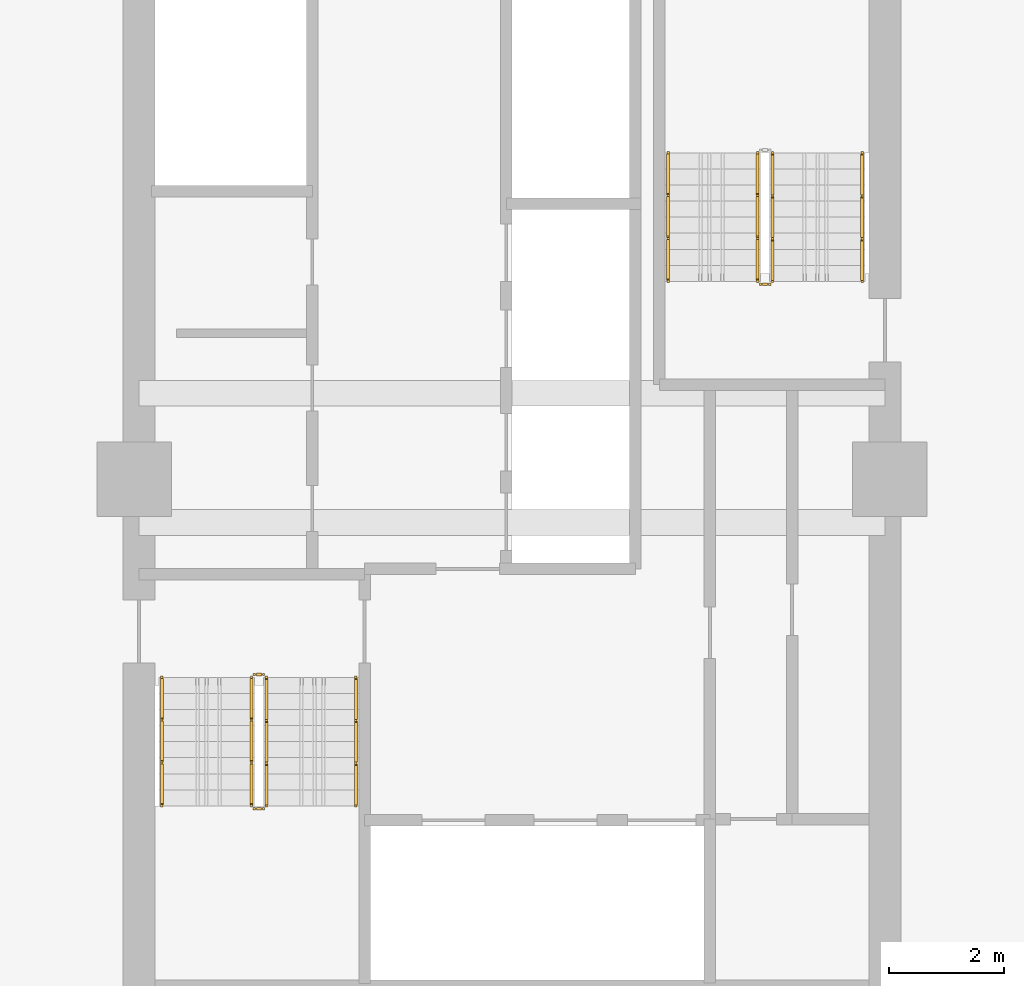
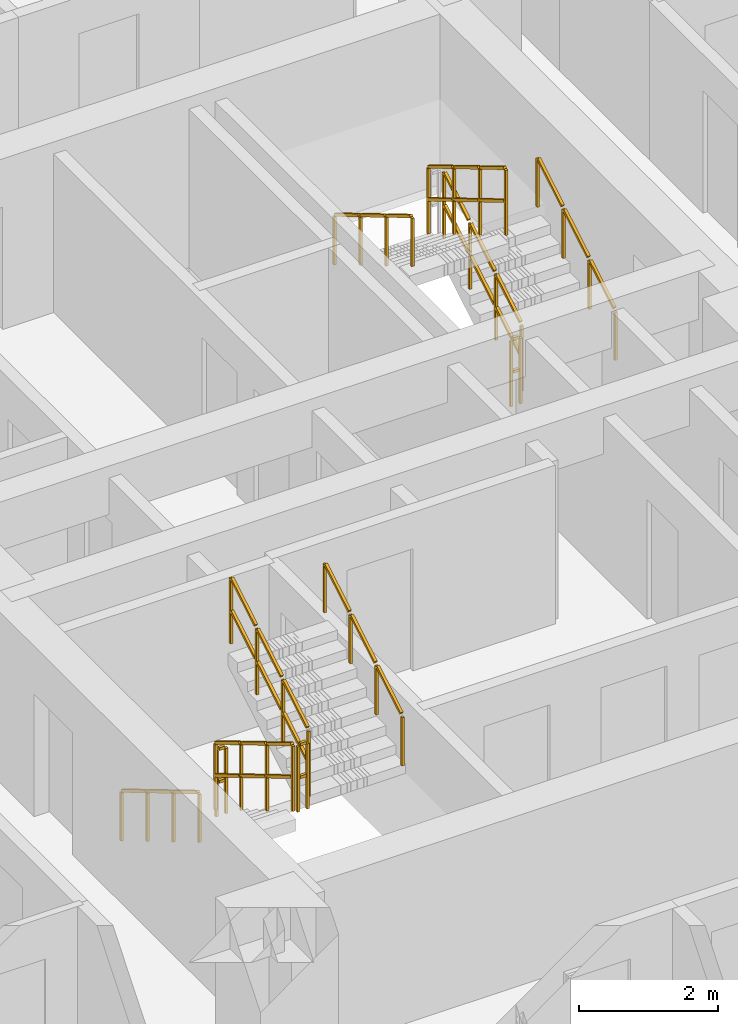
# One storey, part 23 of 25: 11 railings.
"""IFC4 building model written with IfcOpenShell, lengths in metres."""

from ifc_helpers import new_model, si_unit, direction, frame, origin, origin_2d, place, context, subcontext, project, spatial, rectangle, extrude, material, type_object, element, save


model = new_model("IFC4")

# Units and contexts
model_context = context("Model", 3, precision=1e-05, world=origin(), true_north=direction((0.0, 1.0)))
body_context = subcontext(model_context, "Body", "Model", "MODEL_VIEW")
ifc_project = project(units=[si_unit("LENGTHUNIT", "METRE"), si_unit("AREAUNIT", "SQUARE_METRE"), si_unit("VOLUMEUNIT", "CUBIC_METRE"), si_unit("PLANEANGLEUNIT", "RADIAN"), si_unit("MASSUNIT", "GRAM", prefix="KILO")], contexts=[model_context])

# Site, building, storey
site_placement = place(None, origin())
site = spatial("IfcSite", under=ifc_project, at=site_placement, CompositionType="ELEMENT")
building_placement = place(site_placement, origin())
building = spatial("IfcBuilding", under=site, at=building_placement, Name="Saelheon Loggia Tower", CompositionType="ELEMENT")
storey_placement = place(building_placement, frame((0.0, 0.0, 107.85009765625)))
storey = spatial("IfcBuildingStorey", under=building, at=storey_placement, Name="L34", CompositionType="ELEMENT", Elevation=107.85009765625)

# Railings
ifc_material_1 = material(Name="Galvanised Steel S275 Stairwell Guardrail", Category="steel")
railing_type_1 = type_object("IfcRailingType", Name="Guard_StairWell_RL_STG", PredefinedType="GUARDRAIL", material=ifc_material_1)
railing_1_placement = place(storey_placement, frame((33.4599609375, 23.550048828125, 0.16650390625)))
element("IfcRailing", 1, at=railing_1_placement, inside=storey, type_object=railing_type_1, Name="L34 ST1 stair guard 1", PredefinedType="GUARDRAIL", context=body_context, shape_type="SweptSolid", body=[
    extrude(rectangle(XDim=0.048095703125, YDim=0.048095703125, at=origin_2d()), frame((0.0, -0.028564453125, 1.19287109375), z_axis=(0.0, -0.859264461869, 0.511531606619), x_axis=(1.0, 0.0, 0.0)), (0.0, 0.0, 1.0), 0.802490234375),
    extrude(rectangle(XDim=0.048095703125, YDim=0.048095703125, at=origin_2d()), frame((0.0, -0.028564453125, 0.616943359375), z_axis=(0.0, -0.859264461869, 0.511531606619), x_axis=(1.0, 0.0, 0.0)), (0.0, 0.0, 1.0), 0.802490234375),
    extrude(rectangle(XDim=0.048095703125, YDim=0.048095703125, at=origin_2d()), frame((0.0, -0.775146484375, 1.637451171875), z_axis=(0.0, -0.859264461869, 0.511531606619), x_axis=(1.0, 0.0, 0.0)), (0.0, 0.0, 1.0), 0.802490234375),
    extrude(rectangle(XDim=0.048095703125, YDim=0.048095703125, at=origin_2d()), frame((0.0, -0.775146484375, 1.0615234375), z_axis=(0.0, -0.859264461869, 0.511531606619), x_axis=(1.0, 0.0, 0.0)), (0.0, 0.0, 1.0), 0.802490234375),
    extrude(rectangle(XDim=0.048095703125, YDim=0.048095703125, at=origin_2d()), frame((0.0, -1.52197265625, 2.081787109375), z_axis=(0.0, -0.859264461869, 0.511531606619), x_axis=(1.0, 0.0, 0.0)), (0.0, 0.0, 1.0), 0.802490234375),
    extrude(rectangle(XDim=0.048095703125, YDim=0.048095703125, at=origin_2d()), frame((0.0, -1.52197265625, 1.505859375), z_axis=(0.0, -0.859264461869, 0.511531606619), x_axis=(1.0, 0.0, 0.0)), (0.0, 0.0, 1.0), 0.802490234375),
    extrude(rectangle(XDim=0.0419921875, YDim=0.0419921875, at=origin_2d()), origin(), (0.0, 0.0, 1.0), 1.14794921875),
    extrude(rectangle(XDim=0.0419921875, YDim=0.0419921875, at=origin_2d()), frame((0.0, -0.74658203125, 0.444580078125)), (0.0, 0.0, 1.0), 1.14794921875),
    extrude(rectangle(XDim=0.0419921875, YDim=0.0419921875, at=origin_2d()), frame((0.0, -1.493408203125, 0.888916015625)), (0.0, 0.0, 1.0), 1.14794921875),
    extrude(rectangle(XDim=0.0419921875, YDim=0.0419921875, at=origin_2d()), frame((0.0, -2.239990234375, 1.33349609375)), (0.0, 0.0, 1.0), 1.14794921875),
])
railing_2_placement = place(storey_placement, frame((33.510009765625, 21.260009765625, 1.5)))
element("IfcRailing", 2, at=railing_2_placement, inside=storey, type_object=railing_type_1, Name="L34 ST1 stair guard 2", PredefinedType="GUARDRAIL", context=body_context, shape_type="SweptSolid", body=[
    extrude(rectangle(XDim=0.048095703125, YDim=0.048095703125, at=origin_2d()), frame((0.033203125, 0.0, 1.17578125), z_axis=(1.0, 0.0, 0.0), x_axis=(0.0, 1.0, 0.0)), (0.0, 0.0, 1.0), 0.093505859375),
    extrude(rectangle(XDim=0.048095703125, YDim=0.048095703125, at=origin_2d()), frame((0.033203125, 0.0, 0.60009765625), z_axis=(1.0, 0.0, 0.0), x_axis=(0.0, 1.0, 0.0)), (0.0, 0.0, 1.0), 0.093505859375),
    extrude(rectangle(XDim=0.0419921875, YDim=0.0419921875, at=origin_2d()), origin(), (0.0, 0.0, 1.0), 1.14794921875),
    extrude(rectangle(XDim=0.0419921875, YDim=0.0419921875, at=origin_2d()), frame((0.159912109375, 0.0, 0.0)), (0.0, 0.0, 1.0), 1.14794921875),
])
railing_3_placement = place(storey_placement, frame((33.719970703125, 21.31005859375, 1.66650390625)))
element("IfcRailing", 3, at=railing_3_placement, inside=storey, type_object=railing_type_1, Name="L34 ST1 stair guard 3", PredefinedType="GUARDRAIL", context=body_context, shape_type="SweptSolid", body=[
    extrude(rectangle(XDim=0.048095703125, YDim=0.048095703125, at=origin_2d()), frame((0.0, 0.028564453125, 1.19287109375), z_axis=(0.0, 0.859264461869, 0.511531606619), x_axis=(-1.0, 0.0, 0.0)), (0.0, 0.0, 1.0), 0.802490234375),
    extrude(rectangle(XDim=0.048095703125, YDim=0.048095703125, at=origin_2d()), frame((0.0, 0.028564453125, 0.616943359375), z_axis=(0.0, 0.859264461869, 0.511531606619), x_axis=(-1.0, 0.0, 0.0)), (0.0, 0.0, 1.0), 0.802490234375),
    extrude(rectangle(XDim=0.048095703125, YDim=0.048095703125, at=origin_2d()), frame((0.0, 0.775146484375, 1.637451171875), z_axis=(0.0, 0.859264461869, 0.511531606619), x_axis=(-1.0, 0.0, 0.0)), (0.0, 0.0, 1.0), 0.802490234375),
    extrude(rectangle(XDim=0.048095703125, YDim=0.048095703125, at=origin_2d()), frame((0.0, 0.775146484375, 1.0615234375), z_axis=(0.0, 0.859264461869, 0.511531606619), x_axis=(-1.0, 0.0, 0.0)), (0.0, 0.0, 1.0), 0.802490234375),
    extrude(rectangle(XDim=0.048095703125, YDim=0.048095703125, at=origin_2d()), frame((0.0, 1.52197265625, 2.081787109375), z_axis=(0.0, 0.859264461869, 0.511531606619), x_axis=(-1.0, 0.0, 0.0)), (0.0, 0.0, 1.0), 0.802490234375),
    extrude(rectangle(XDim=0.048095703125, YDim=0.048095703125, at=origin_2d()), frame((0.0, 1.52197265625, 1.505859375), z_axis=(0.0, 0.859264461869, 0.511531606619), x_axis=(-1.0, 0.0, 0.0)), (0.0, 0.0, 1.0), 0.802490234375),
    extrude(rectangle(XDim=0.0419921875, YDim=0.0419921875, at=origin_2d()), origin(), (0.0, 0.0, 1.0), 1.14794921875),
    extrude(rectangle(XDim=0.0419921875, YDim=0.0419921875, at=origin_2d()), frame((0.0, 0.74658203125, 0.444580078125)), (0.0, 0.0, 1.0), 1.14794921875),
    extrude(rectangle(XDim=0.0419921875, YDim=0.0419921875, at=origin_2d()), frame((0.0, 1.493408203125, 0.888916015625)), (0.0, 0.0, 1.0), 1.14794921875),
    extrude(rectangle(XDim=0.0419921875, YDim=0.0419921875, at=origin_2d()), frame((0.0, 2.239990234375, 1.33349609375)), (0.0, 0.0, 1.0), 1.14794921875),
])
railing_4_placement = place(storey_placement, frame((33.510009765625, 23.60009765625, 0.0)))
element("IfcRailing", 4, at=railing_4_placement, inside=storey, type_object=railing_type_1, Name="L34 ST1 stair guard 4", PredefinedType="GUARDRAIL", context=body_context, shape_type="SweptSolid", body=[
    extrude(rectangle(XDim=0.048095703125, YDim=0.048095703125, at=origin_2d()), frame((0.033203125, 0.0, 1.17578125), z_axis=(1.0, 0.0, 0.0), x_axis=(0.0, 1.0, 0.0)), (0.0, 0.0, 1.0), 0.093505859375),
    extrude(rectangle(XDim=0.048095703125, YDim=0.048095703125, at=origin_2d()), frame((0.033203125, 0.0, 0.60009765625), z_axis=(1.0, 0.0, 0.0), x_axis=(0.0, 1.0, 0.0)), (0.0, 0.0, 1.0), 0.093505859375),
    extrude(rectangle(XDim=0.0419921875, YDim=0.0419921875, at=origin_2d()), origin(), (0.0, 0.0, 1.0), 1.14794921875),
    extrude(rectangle(XDim=0.0419921875, YDim=0.0419921875, at=origin_2d()), frame((0.159912109375, 0.0, 0.0)), (0.0, 0.0, 1.0), 1.14794921875),
])
railing_5_placement = place(storey_placement, frame((42.5400390625, 30.449951171875, 0.16650390625)))
element("IfcRailing", 5, at=railing_5_placement, inside=storey, type_object=railing_type_1, Name="L34 ST2 stair guard 1", PredefinedType="GUARDRAIL", context=body_context, shape_type="SweptSolid", body=[
    extrude(rectangle(XDim=0.048095703125, YDim=0.048095703125, at=origin_2d()), frame((0.0, 0.028564453125, 1.19287109375), z_axis=(0.0, 0.859264461869, 0.511531606619), x_axis=(-1.0, 0.0, 0.0)), (0.0, 0.0, 1.0), 0.802490234375),
    extrude(rectangle(XDim=0.048095703125, YDim=0.048095703125, at=origin_2d()), frame((0.0, 0.028564453125, 0.616943359375), z_axis=(0.0, 0.859264461869, 0.511531606619), x_axis=(-1.0, 0.0, 0.0)), (0.0, 0.0, 1.0), 0.802490234375),
    extrude(rectangle(XDim=0.048095703125, YDim=0.048095703125, at=origin_2d()), frame((0.0, 0.775146484375, 1.637451171875), z_axis=(0.0, 0.859264461869, 0.511531606619), x_axis=(-1.0, 0.0, 0.0)), (0.0, 0.0, 1.0), 0.802490234375),
    extrude(rectangle(XDim=0.048095703125, YDim=0.048095703125, at=origin_2d()), frame((0.0, 0.775146484375, 1.0615234375), z_axis=(0.0, 0.859264461869, 0.511531606619), x_axis=(-1.0, 0.0, 0.0)), (0.0, 0.0, 1.0), 0.802490234375),
    extrude(rectangle(XDim=0.048095703125, YDim=0.048095703125, at=origin_2d()), frame((0.0, 1.52197265625, 2.081787109375), z_axis=(0.0, 0.859264461869, 0.511531606619), x_axis=(-1.0, 0.0, 0.0)), (0.0, 0.0, 1.0), 0.802490234375),
    extrude(rectangle(XDim=0.048095703125, YDim=0.048095703125, at=origin_2d()), frame((0.0, 1.52197265625, 1.505859375), z_axis=(0.0, 0.859264461869, 0.511531606619), x_axis=(-1.0, 0.0, 0.0)), (0.0, 0.0, 1.0), 0.802490234375),
    extrude(rectangle(XDim=0.0419921875, YDim=0.0419921875, at=origin_2d()), origin(), (0.0, 0.0, 1.0), 1.14794921875),
    extrude(rectangle(XDim=0.0419921875, YDim=0.0419921875, at=origin_2d()), frame((0.0, 0.74658203125, 0.444580078125)), (0.0, 0.0, 1.0), 1.14794921875),
    extrude(rectangle(XDim=0.0419921875, YDim=0.0419921875, at=origin_2d()), frame((0.0, 1.493408203125, 0.888916015625)), (0.0, 0.0, 1.0), 1.14794921875),
    extrude(rectangle(XDim=0.0419921875, YDim=0.0419921875, at=origin_2d()), frame((0.0, 2.239990234375, 1.33349609375)), (0.0, 0.0, 1.0), 1.14794921875),
])
railing_6_placement = place(storey_placement, frame((42.280029296875, 32.68994140625, 1.66650390625)))
element("IfcRailing", 6, at=railing_6_placement, inside=storey, type_object=railing_type_1, Name="L34 ST2 stair guard 3", PredefinedType="GUARDRAIL", context=body_context, shape_type="SweptSolid", body=[
    extrude(rectangle(XDim=0.048095703125, YDim=0.048095703125, at=origin_2d()), frame((0.0, -0.028564453125, 1.19287109375), z_axis=(0.0, -0.859264461869, 0.511531606619), x_axis=(1.0, 0.0, 0.0)), (0.0, 0.0, 1.0), 0.802490234375),
    extrude(rectangle(XDim=0.048095703125, YDim=0.048095703125, at=origin_2d()), frame((0.0, -0.028564453125, 0.616943359375), z_axis=(0.0, -0.859264461869, 0.511531606619), x_axis=(1.0, 0.0, 0.0)), (0.0, 0.0, 1.0), 0.802490234375),
    extrude(rectangle(XDim=0.048095703125, YDim=0.048095703125, at=origin_2d()), frame((0.0, -0.775146484375, 1.637451171875), z_axis=(0.0, -0.859264461869, 0.511531606619), x_axis=(1.0, 0.0, 0.0)), (0.0, 0.0, 1.0), 0.802490234375),
    extrude(rectangle(XDim=0.048095703125, YDim=0.048095703125, at=origin_2d()), frame((0.0, -0.775146484375, 1.0615234375), z_axis=(0.0, -0.859264461869, 0.511531606619), x_axis=(1.0, 0.0, 0.0)), (0.0, 0.0, 1.0), 0.802490234375),
    extrude(rectangle(XDim=0.048095703125, YDim=0.048095703125, at=origin_2d()), frame((0.0, -1.52197265625, 2.081787109375), z_axis=(0.0, -0.859264461869, 0.511531606619), x_axis=(1.0, 0.0, 0.0)), (0.0, 0.0, 1.0), 0.802490234375),
    extrude(rectangle(XDim=0.048095703125, YDim=0.048095703125, at=origin_2d()), frame((0.0, -1.52197265625, 1.505859375), z_axis=(0.0, -0.859264461869, 0.511531606619), x_axis=(1.0, 0.0, 0.0)), (0.0, 0.0, 1.0), 0.802490234375),
    extrude(rectangle(XDim=0.0419921875, YDim=0.0419921875, at=origin_2d()), origin(), (0.0, 0.0, 1.0), 1.14794921875),
    extrude(rectangle(XDim=0.0419921875, YDim=0.0419921875, at=origin_2d()), frame((0.0, -0.74658203125, 0.444580078125)), (0.0, 0.0, 1.0), 1.14794921875),
    extrude(rectangle(XDim=0.0419921875, YDim=0.0419921875, at=origin_2d()), frame((0.0, -1.493408203125, 0.888916015625)), (0.0, 0.0, 1.0), 1.14794921875),
    extrude(rectangle(XDim=0.0419921875, YDim=0.0419921875, at=origin_2d()), frame((0.0, -2.239990234375, 1.33349609375)), (0.0, 0.0, 1.0), 1.14794921875),
])
railing_7_placement = place(storey_placement, frame((42.489990234375, 30.39990234375, 0.0)))
element("IfcRailing", 7, at=railing_7_placement, inside=storey, type_object=railing_type_1, Name="L34 ST2 stair guard 4", PredefinedType="GUARDRAIL", context=body_context, shape_type="SweptSolid", body=[
    extrude(rectangle(XDim=0.048095703125, YDim=0.048095703125, at=origin_2d()), frame((-0.033203125, 0.0, 1.17578125), z_axis=(-1.0, 0.0, 0.0), x_axis=(0.0, -1.0, 0.0)), (0.0, 0.0, 1.0), 0.093505859375),
    extrude(rectangle(XDim=0.048095703125, YDim=0.048095703125, at=origin_2d()), frame((-0.033203125, 0.0, 0.60009765625), z_axis=(-1.0, 0.0, 0.0), x_axis=(0.0, -1.0, 0.0)), (0.0, 0.0, 1.0), 0.093505859375),
    extrude(rectangle(XDim=0.0419921875, YDim=0.0419921875, at=origin_2d()), origin(), (0.0, 0.0, 1.0), 1.14794921875),
    extrude(rectangle(XDim=0.0419921875, YDim=0.0419921875, at=origin_2d()), frame((-0.159912109375, 0.0, 0.0)), (0.0, 0.0, 1.0), 1.14794921875),
])
ifc_material_2 = material(Name="Stainless Steel 304 Tubular Handrail", Category="steel")
railing_type_2 = type_object("IfcRailingType", Name="Handrail_Stair_RL_HR1", PredefinedType="HANDRAIL", material=ifc_material_2)
railing_8_placement = place(storey_placement, frame((31.89990234375, 23.550048828125, 0.16650390625)))
element("IfcRailing", 8, at=railing_8_placement, inside=storey, type_object=railing_type_2, Name="L34 ST1 stair handrail 1", PredefinedType="HANDRAIL", context=body_context, shape_type="SweptSolid", body=[
    extrude(rectangle(XDim=0.048095703125, YDim=0.048095703125, at=origin_2d()), frame((0.0, -0.028564453125, 0.892822265625), z_axis=(0.0, -0.859264461869, 0.511531606619), x_axis=(1.0, 0.0, 0.0)), (0.0, 0.0, 1.0), 0.802490234375),
    extrude(rectangle(XDim=0.048095703125, YDim=0.048095703125, at=origin_2d()), frame((0.0, -0.775146484375, 1.33740234375), z_axis=(0.0, -0.859264461869, 0.511531606619), x_axis=(1.0, 0.0, 0.0)), (0.0, 0.0, 1.0), 0.802490234375),
    extrude(rectangle(XDim=0.048095703125, YDim=0.048095703125, at=origin_2d()), frame((0.0, -1.52197265625, 1.78173828125), z_axis=(0.0, -0.859264461869, 0.511531606619), x_axis=(1.0, 0.0, 0.0)), (0.0, 0.0, 1.0), 0.802490234375),
    extrude(rectangle(XDim=0.0419921875, YDim=0.0419921875, at=origin_2d()), origin(), (0.0, 0.0, 1.0), 0.847900390625),
    extrude(rectangle(XDim=0.0419921875, YDim=0.0419921875, at=origin_2d()), frame((0.0, -0.74658203125, 0.444580078125)), (0.0, 0.0, 1.0), 0.847900390625),
    extrude(rectangle(XDim=0.0419921875, YDim=0.0419921875, at=origin_2d()), frame((0.0, -1.493408203125, 0.888916015625)), (0.0, 0.0, 1.0), 0.847900390625),
    extrude(rectangle(XDim=0.0419921875, YDim=0.0419921875, at=origin_2d()), frame((0.0, -2.239990234375, 1.33349609375)), (0.0, 0.0, 1.0), 0.847900390625),
])
for number, where, name in (
    (9, (35.280029296875, 21.31005859375, 1.66650390625), "L34 ST1 stair handrail 2"),
    (10, (44.10009765625, 30.449951171875, 0.16650390625), "L34 ST2 stair handrail 1"),
):
    element("IfcRailing", number, at=place(storey_placement, frame(where)), inside=storey, type_object=railing_type_2, Name=name, PredefinedType="HANDRAIL", context=body_context, shape_type="SweptSolid", body=[
        extrude(rectangle(XDim=0.048095703125, YDim=0.048095703125, at=origin_2d()), frame((0.0, 0.028564453125, 0.892822265625), z_axis=(0.0, 0.859264461869, 0.511531606619), x_axis=(-1.0, 0.0, 0.0)), (0.0, 0.0, 1.0), 0.802490234375),
        extrude(rectangle(XDim=0.048095703125, YDim=0.048095703125, at=origin_2d()), frame((0.0, 0.775146484375, 1.33740234375), z_axis=(0.0, 0.859264461869, 0.511531606619), x_axis=(-1.0, 0.0, 0.0)), (0.0, 0.0, 1.0), 0.802490234375),
        extrude(rectangle(XDim=0.048095703125, YDim=0.048095703125, at=origin_2d()), frame((0.0, 1.52197265625, 1.78173828125), z_axis=(0.0, 0.859264461869, 0.511531606619), x_axis=(-1.0, 0.0, 0.0)), (0.0, 0.0, 1.0), 0.802490234375),
        extrude(rectangle(XDim=0.0419921875, YDim=0.0419921875, at=origin_2d()), origin(), (0.0, 0.0, 1.0), 0.847900390625),
        extrude(rectangle(XDim=0.0419921875, YDim=0.0419921875, at=origin_2d()), frame((0.0, 0.74658203125, 0.444580078125)), (0.0, 0.0, 1.0), 0.847900390625),
        extrude(rectangle(XDim=0.0419921875, YDim=0.0419921875, at=origin_2d()), frame((0.0, 1.493408203125, 0.888916015625)), (0.0, 0.0, 1.0), 0.847900390625),
        extrude(rectangle(XDim=0.0419921875, YDim=0.0419921875, at=origin_2d()), frame((0.0, 2.239990234375, 1.33349609375)), (0.0, 0.0, 1.0), 0.847900390625),
    ])
railing_9_placement = place(storey_placement, frame((40.719970703125, 32.68994140625, 1.66650390625)))
element("IfcRailing", 11, at=railing_9_placement, inside=storey, type_object=railing_type_2, Name="L34 ST2 stair handrail 2", PredefinedType="HANDRAIL", context=body_context, shape_type="SweptSolid", body=[
    extrude(rectangle(XDim=0.048095703125, YDim=0.048095703125, at=origin_2d()), frame((0.0, -0.028564453125, 0.892822265625), z_axis=(0.0, -0.859264461869, 0.511531606619), x_axis=(1.0, 0.0, 0.0)), (0.0, 0.0, 1.0), 0.802490234375),
    extrude(rectangle(XDim=0.048095703125, YDim=0.048095703125, at=origin_2d()), frame((0.0, -0.775146484375, 1.33740234375), z_axis=(0.0, -0.859264461869, 0.511531606619), x_axis=(1.0, 0.0, 0.0)), (0.0, 0.0, 1.0), 0.802490234375),
    extrude(rectangle(XDim=0.048095703125, YDim=0.048095703125, at=origin_2d()), frame((0.0, -1.52197265625, 1.78173828125), z_axis=(0.0, -0.859264461869, 0.511531606619), x_axis=(1.0, 0.0, 0.0)), (0.0, 0.0, 1.0), 0.802490234375),
    extrude(rectangle(XDim=0.0419921875, YDim=0.0419921875, at=origin_2d()), origin(), (0.0, 0.0, 1.0), 0.847900390625),
    extrude(rectangle(XDim=0.0419921875, YDim=0.0419921875, at=origin_2d()), frame((0.0, -0.74658203125, 0.444580078125)), (0.0, 0.0, 1.0), 0.847900390625),
    extrude(rectangle(XDim=0.0419921875, YDim=0.0419921875, at=origin_2d()), frame((0.0, -1.493408203125, 0.888916015625)), (0.0, 0.0, 1.0), 0.847900390625),
    extrude(rectangle(XDim=0.0419921875, YDim=0.0419921875, at=origin_2d()), frame((0.0, -2.239990234375, 1.33349609375)), (0.0, 0.0, 1.0), 0.847900390625),
])

save(model, "model.ifc")
